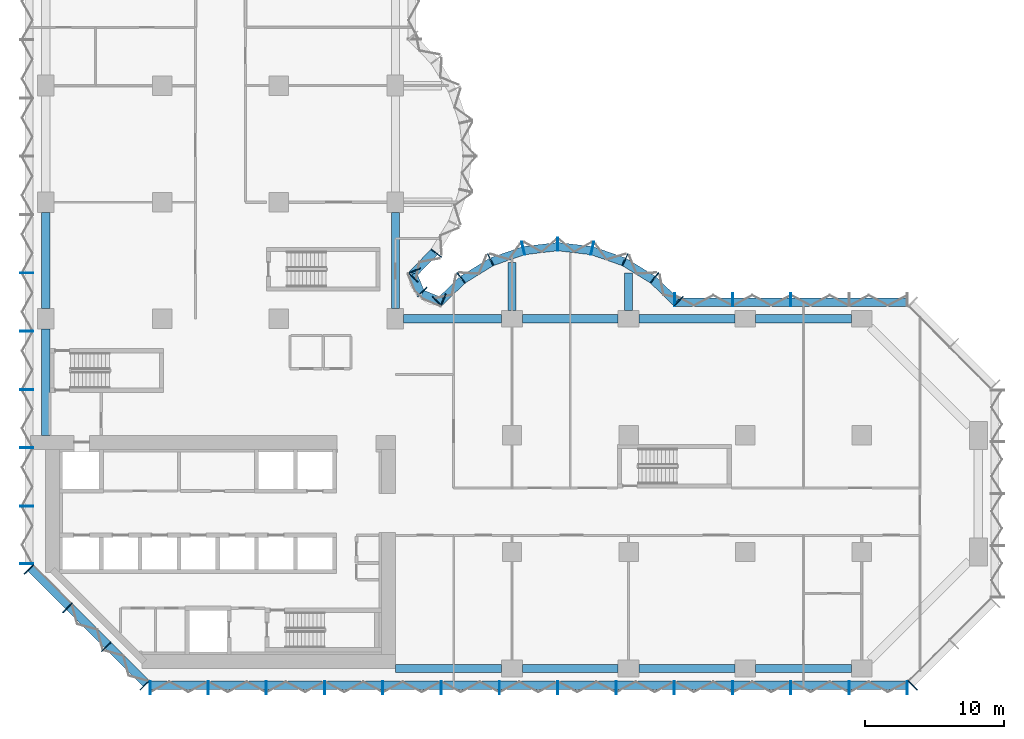
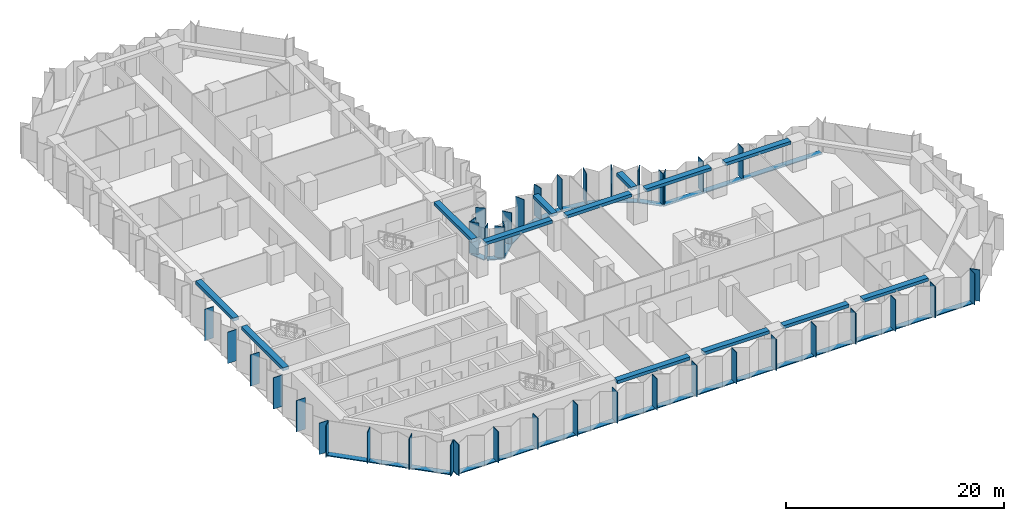
# One storey, part 2 of 15: 56 members, 13 beams, 8 elements without a shape of their own.
"""IFC4 building model written with IfcOpenShell, lengths in metres."""

from ifc_helpers import new_model, si_unit, direction, frame, origin, origin_2d, place, context, subcontext, project, spatial, rectangle, extrude, material, material_profile, profile_set, type_object, element, aggregate, save


model = new_model("IFC4")

# Units and contexts
model_context = context("Model", 3, precision=1e-05, world=origin(), true_north=direction((0.0, 1.0)))
body_context = subcontext(model_context, "Body", "Model", "MODEL_VIEW")
ifc_project = project(units=[si_unit("LENGTHUNIT", "METRE"), si_unit("AREAUNIT", "SQUARE_METRE"), si_unit("VOLUMEUNIT", "CUBIC_METRE"), si_unit("PLANEANGLEUNIT", "RADIAN"), si_unit("MASSUNIT", "GRAM", prefix="KILO")], contexts=[model_context])

# Site, building, storey
site_placement = place(None, origin())
site = spatial("IfcSite", under=ifc_project, at=site_placement, CompositionType="ELEMENT")
building_placement = place(site_placement, origin())
building = spatial("IfcBuilding", under=site, at=building_placement, Name="Brevane Broadcast Tower", CompositionType="ELEMENT")
storey_placement = place(building_placement, frame((0.0, 0.0, 58.10009765625)))
storey = spatial("IfcBuildingStorey", under=building, at=storey_placement, Name="L12", CompositionType="ELEMENT", Elevation=58.10009765625)

# Curtain wall, members
ifc_material_1 = material(Name="Aluminium 6063-T6 bronze anodised", Category="aluminium")
curtain_wall_type = type_object("IfcCurtainWallType", Name="CW-1 curtain wall", PredefinedType="NOTDEFINED", material=ifc_material_1)
curtain_wall_1_placement = place(storey_placement, origin())
curtain_wall_1 = element("IfcCurtainWall", 1, at=curtain_wall_1_placement, inside=storey, type_object=curtain_wall_type, Name="CW-1 typical tilted unit L12 south face", PredefinedType="NOTDEFINED")
ifc_material_profile_1 = material_profile(ifc_material_1, rectangle(XDim=0.949951171875, YDim=0.070068359375, at=origin_2d()), Name="RECT 70x950")
ifc_profile_set_1 = profile_set([ifc_material_profile_1], Name="Aluminium 6063-T6 bronze anodised")
member_type_1 = type_object("IfcMemberType", Name="CW-1 mullion 70x950", PredefinedType="MULLION", material=ifc_profile_set_1)
member_1_placement = place(storey_placement, frame((7.534912109375, -1.375, -0.150146484375), z_axis=(0.0, 0.0, 1.0), x_axis=(0.0, 1.0, 0.0)))
member_1 = element("IfcMember", 2, at=member_1_placement, type_object=member_type_1, Name="CW-1 mullion", PredefinedType="MULLION", context=body_context, shape_type="SweptSolid", body=[
    extrude(rectangle(XDim=0.949951171875, YDim=0.070068359375, at=origin_2d()), origin(), (0.0, 0.0, 1.0), 3.5),
])
member_2_placement = place(storey_placement, frame((11.699951171875, -1.375, -0.150146484375), z_axis=(0.0, 0.0, 1.0), x_axis=(0.0, 1.0, 0.0)))
member_2 = element("IfcMember", 3, at=member_2_placement, type_object=member_type_1, Name="CW-1 mullion", PredefinedType="MULLION", context=body_context, shape_type="SweptSolid", body=[
    extrude(rectangle(XDim=0.949951171875, YDim=0.070068359375, at=origin_2d()), origin(), (0.0, 0.0, 1.0), 3.5),
])
member_3_placement = place(storey_placement, frame((15.89990234375, -1.375, -0.150146484375), z_axis=(0.0, 0.0, 1.0), x_axis=(0.0, 1.0, 0.0)))
member_3 = element("IfcMember", 4, at=member_3_placement, type_object=member_type_1, Name="CW-1 mullion", PredefinedType="MULLION", context=body_context, shape_type="SweptSolid", body=[
    extrude(rectangle(XDim=0.949951171875, YDim=0.070068359375, at=origin_2d()), origin(), (0.0, 0.0, 1.0), 3.5),
])
member_4_placement = place(storey_placement, frame((20.10009765625, -1.375, -0.150146484375), z_axis=(0.0, 0.0, 1.0), x_axis=(0.0, 1.0, 0.0)))
member_4 = element("IfcMember", 5, at=member_4_placement, type_object=member_type_1, Name="CW-1 mullion", PredefinedType="MULLION", context=body_context, shape_type="SweptSolid", body=[
    extrude(rectangle(XDim=0.949951171875, YDim=0.070068359375, at=origin_2d()), origin(), (0.0, 0.0, 1.0), 3.5),
])
member_5_placement = place(storey_placement, frame((24.300048828125, -1.375, -0.150146484375), z_axis=(0.0, 0.0, 1.0), x_axis=(0.0, 1.0, 0.0)))
member_5 = element("IfcMember", 6, at=member_5_placement, type_object=member_type_1, Name="CW-1 mullion", PredefinedType="MULLION", context=body_context, shape_type="SweptSolid", body=[
    extrude(rectangle(XDim=0.949951171875, YDim=0.070068359375, at=origin_2d()), origin(), (0.0, 0.0, 1.0), 3.5),
])
member_6_placement = place(storey_placement, frame((28.5, -1.375, -0.150146484375), z_axis=(0.0, 0.0, 1.0), x_axis=(0.0, 1.0, 0.0)))
member_6 = element("IfcMember", 7, at=member_6_placement, type_object=member_type_1, Name="CW-1 mullion", PredefinedType="MULLION", context=body_context, shape_type="SweptSolid", body=[
    extrude(rectangle(XDim=0.949951171875, YDim=0.070068359375, at=origin_2d()), origin(), (0.0, 0.0, 1.0), 3.5),
])
member_7_placement = place(storey_placement, frame((32.699951171875, -1.375, -0.150146484375), z_axis=(0.0, 0.0, 1.0), x_axis=(0.0, 1.0, 0.0)))
member_7 = element("IfcMember", 8, at=member_7_placement, type_object=member_type_1, Name="CW-1 mullion", PredefinedType="MULLION", context=body_context, shape_type="SweptSolid", body=[
    extrude(rectangle(XDim=0.949951171875, YDim=0.070068359375, at=origin_2d()), origin(), (0.0, 0.0, 1.0), 3.5),
])
member_8_placement = place(storey_placement, frame((36.89990234375, -1.375, -0.150146484375), z_axis=(0.0, 0.0, 1.0), x_axis=(0.0, 1.0, 0.0)))
member_8 = element("IfcMember", 9, at=member_8_placement, type_object=member_type_1, Name="CW-1 mullion", PredefinedType="MULLION", context=body_context, shape_type="SweptSolid", body=[
    extrude(rectangle(XDim=0.949951171875, YDim=0.070068359375, at=origin_2d()), origin(), (0.0, 0.0, 1.0), 3.5),
])
member_9_placement = place(storey_placement, frame((41.10009765625, -1.375, -0.150146484375), z_axis=(0.0, 0.0, 1.0), x_axis=(0.0, 1.0, 0.0)))
member_9 = element("IfcMember", 10, at=member_9_placement, type_object=member_type_1, Name="CW-1 mullion", PredefinedType="MULLION", context=body_context, shape_type="SweptSolid", body=[
    extrude(rectangle(XDim=0.949951171875, YDim=0.070068359375, at=origin_2d()), origin(), (0.0, 0.0, 1.0), 3.5),
])
member_10_placement = place(storey_placement, frame((45.300048828125, -1.375, -0.150146484375), z_axis=(0.0, 0.0, 1.0), x_axis=(0.0, 1.0, 0.0)))
member_10 = element("IfcMember", 11, at=member_10_placement, type_object=member_type_1, Name="CW-1 mullion", PredefinedType="MULLION", context=body_context, shape_type="SweptSolid", body=[
    extrude(rectangle(XDim=0.949951171875, YDim=0.070068359375, at=origin_2d()), origin(), (0.0, 0.0, 1.0), 3.5),
])
member_11_placement = place(storey_placement, frame((49.5, -1.375, -0.150146484375), z_axis=(0.0, 0.0, 1.0), x_axis=(0.0, 1.0, 0.0)))
member_11 = element("IfcMember", 12, at=member_11_placement, type_object=member_type_1, Name="CW-1 mullion", PredefinedType="MULLION", context=body_context, shape_type="SweptSolid", body=[
    extrude(rectangle(XDim=0.949951171875, YDim=0.070068359375, at=origin_2d()), origin(), (0.0, 0.0, 1.0), 3.5),
])
member_12_placement = place(storey_placement, frame((53.699951171875, -1.375, -0.150146484375), z_axis=(0.0, 0.0, 1.0), x_axis=(0.0, 1.0, 0.0)))
member_12 = element("IfcMember", 13, at=member_12_placement, type_object=member_type_1, Name="CW-1 mullion", PredefinedType="MULLION", context=body_context, shape_type="SweptSolid", body=[
    extrude(rectangle(XDim=0.949951171875, YDim=0.070068359375, at=origin_2d()), origin(), (0.0, 0.0, 1.0), 3.5),
])
member_13_placement = place(storey_placement, frame((57.89990234375, -1.375, -0.150146484375), z_axis=(0.0, 0.0, 1.0), x_axis=(0.0, 1.0, 0.0)))
member_13 = element("IfcMember", 14, at=member_13_placement, type_object=member_type_1, Name="CW-1 mullion", PredefinedType="MULLION", context=body_context, shape_type="SweptSolid", body=[
    extrude(rectangle(XDim=0.949951171875, YDim=0.070068359375, at=origin_2d()), origin(), (0.0, 0.0, 1.0), 3.5),
])
member_14_placement = place(storey_placement, frame((62.06494140625, -1.375, -0.150146484375), z_axis=(0.0, 0.0, 1.0), x_axis=(0.0, 1.0, 0.0)))
member_14 = element("IfcMember", 15, at=member_14_placement, type_object=member_type_1, Name="CW-1 mullion", PredefinedType="MULLION", context=body_context, shape_type="SweptSolid", body=[
    extrude(rectangle(XDim=0.949951171875, YDim=0.070068359375, at=origin_2d()), origin(), (0.0, 0.0, 1.0), 3.5),
])

# Curtain wall, member
curtain_wall_2_placement = place(storey_placement, origin())
curtain_wall_2 = element("IfcCurtainWall", 16, at=curtain_wall_2_placement, inside=storey, type_object=curtain_wall_type, Name="CW-1 typical tilted unit L12 south-east chamfer", PredefinedType="NOTDEFINED")
member_15_placement = place(storey_placement, frame((62.460693359375, -1.211181640625, -0.150146484375), z_axis=(0.0, 0.0, 1.0), x_axis=(-0.707106781187, 0.707106781187, 0.0)))
member_15 = element("IfcMember", 17, at=member_15_placement, type_object=member_type_1, Name="CW-1 mullion", PredefinedType="MULLION", context=body_context, shape_type="SweptSolid", body=[
    extrude(rectangle(XDim=0.949951171875, YDim=0.070068359375, at=origin_2d()), origin(), (0.0, 0.0, 1.0), 3.5),
])
aggregate(curtain_wall_2, [member_15])

# Curtain wall, members
curtain_wall_3_placement = place(storey_placement, origin())
curtain_wall_3 = element("IfcCurtainWall", 18, at=curtain_wall_3_placement, inside=storey, type_object=curtain_wall_type, Name="CW-1 typical tilted unit L12 east arm north face", PredefinedType="NOTDEFINED")
member_16_placement = place(storey_placement, frame((53.699951171875, 26.574951171875, -0.150146484375), z_axis=(0.0, 0.0, 1.0), x_axis=(0.0, -1.0, 0.0)))
member_16 = element("IfcMember", 19, at=member_16_placement, type_object=member_type_1, Name="CW-1 mullion", PredefinedType="MULLION", context=body_context, shape_type="SweptSolid", body=[
    extrude(rectangle(XDim=0.949951171875, YDim=0.070068359375, at=origin_2d()), origin(), (0.0, 0.0, 1.0), 3.5),
])
member_17_placement = place(storey_placement, frame((49.5, 26.574951171875, -0.150146484375), z_axis=(0.0, 0.0, 1.0), x_axis=(0.0, -1.0, 0.0)))
member_17 = element("IfcMember", 20, at=member_17_placement, type_object=member_type_1, Name="CW-1 mullion", PredefinedType="MULLION", context=body_context, shape_type="SweptSolid", body=[
    extrude(rectangle(XDim=0.949951171875, YDim=0.070068359375, at=origin_2d()), origin(), (0.0, 0.0, 1.0), 3.5),
])
member_18_placement = place(storey_placement, frame((45.3349609375, 26.574951171875, -0.150146484375), z_axis=(0.0, 0.0, 1.0), x_axis=(0.0, -1.0, 0.0)))
member_18 = element("IfcMember", 21, at=member_18_placement, type_object=member_type_1, Name="CW-1 mullion", PredefinedType="MULLION", context=body_context, shape_type="SweptSolid", body=[
    extrude(rectangle(XDim=0.949951171875, YDim=0.070068359375, at=origin_2d()), origin(), (0.0, 0.0, 1.0), 3.5),
])

curtain_wall_4_placement = place(storey_placement, origin())
curtain_wall_4 = element("IfcCurtainWall", 22, at=curtain_wall_4_placement, inside=storey, type_object=curtain_wall_type, Name="CW-1 typical tilted unit L12 east bow", PredefinedType="NOTDEFINED")
member_19_placement = place(storey_placement, frame((45.60595703125, 26.465087890625, -0.150146484375), z_axis=(0.0, 0.0, 1.0), x_axis=(-0.696811941702, -0.717253872699, 0.0)))
member_19 = element("IfcMember", 23, at=member_19_placement, type_object=member_type_1, Name="CW-1 mullion", PredefinedType="MULLION", context=body_context, shape_type="SweptSolid", body=[
    extrude(rectangle(XDim=0.949951171875, YDim=0.070068359375, at=origin_2d()), origin(), (0.0, 0.0, 1.0), 3.5),
])
member_20_placement = place(storey_placement, frame((43.8720703125, 28.1455078125, -0.150146484375), z_axis=(0.0, 0.0, 1.0), x_axis=(-0.614769738617, -0.788706642853, 0.0)))
member_20 = element("IfcMember", 24, at=member_20_placement, type_object=member_type_1, Name="CW-1 mullion", PredefinedType="MULLION", context=body_context, shape_type="SweptSolid", body=[
    extrude(rectangle(XDim=0.949951171875, YDim=0.070068359375, at=origin_2d()), origin(), (0.0, 0.0, 1.0), 3.5),
])
member_21_placement = place(storey_placement, frame((41.746826171875, 29.4580078125, -0.150146484375), z_axis=(0.0, 0.0, 1.0), x_axis=(-0.429933601163, -0.902860508933, 0.0)))
member_21 = element("IfcMember", 25, at=member_21_placement, type_object=member_type_1, Name="CW-1 mullion", PredefinedType="MULLION", context=body_context, shape_type="SweptSolid", body=[
    extrude(rectangle(XDim=0.949951171875, YDim=0.070068359375, at=origin_2d()), origin(), (0.0, 0.0, 1.0), 3.5),
])
member_22_placement = place(storey_placement, frame((39.38818359375, 30.28076171875, -0.150146484375), z_axis=(0.0, 0.0, 1.0), x_axis=(-0.224806482215, -0.974403430594, 0.0)))
member_22 = element("IfcMember", 26, at=member_22_placement, type_object=member_type_1, Name="CW-1 mullion", PredefinedType="MULLION", context=body_context, shape_type="SweptSolid", body=[
    extrude(rectangle(XDim=0.949951171875, YDim=0.070068359375, at=origin_2d()), origin(), (0.0, 0.0, 1.0), 3.5),
])
member_23_placement = place(storey_placement, frame((36.89990234375, 30.574951171875, -0.150146484375), z_axis=(0.0, 0.0, 1.0), x_axis=(0.0, -1.0, 0.0)))
member_23 = element("IfcMember", 27, at=member_23_placement, type_object=member_type_1, Name="CW-1 mullion", PredefinedType="MULLION", context=body_context, shape_type="SweptSolid", body=[
    extrude(rectangle(XDim=0.949951171875, YDim=0.070068359375, at=origin_2d()), origin(), (0.0, 0.0, 1.0), 3.5),
])
member_24_placement = place(storey_placement, frame((34.411865234375, 30.28076171875, -0.150146484375), z_axis=(0.0, 0.0, 1.0), x_axis=(0.224806482215, -0.974403430594, 0.0)))
member_24 = element("IfcMember", 28, at=member_24_placement, type_object=member_type_1, Name="CW-1 mullion", PredefinedType="MULLION", context=body_context, shape_type="SweptSolid", body=[
    extrude(rectangle(XDim=0.949951171875, YDim=0.070068359375, at=origin_2d()), origin(), (0.0, 0.0, 1.0), 3.5),
])
member_25_placement = place(storey_placement, frame((32.05322265625, 29.4580078125, -0.150146484375), z_axis=(0.0, 0.0, 1.0), x_axis=(0.429933601163, -0.902860508933, 0.0)))
member_25 = element("IfcMember", 29, at=member_25_placement, type_object=member_type_1, Name="CW-1 mullion", PredefinedType="MULLION", context=body_context, shape_type="SweptSolid", body=[
    extrude(rectangle(XDim=0.949951171875, YDim=0.070068359375, at=origin_2d()), origin(), (0.0, 0.0, 1.0), 3.5),
])
member_26_placement = place(storey_placement, frame((29.927978515625, 28.1455078125, -0.150146484375), z_axis=(0.0, 0.0, 1.0), x_axis=(0.614769738617, -0.788706642853, 0.0)))
member_26 = element("IfcMember", 30, at=member_26_placement, type_object=member_type_1, Name="CW-1 mullion", PredefinedType="MULLION", context=body_context, shape_type="SweptSolid", body=[
    extrude(rectangle(XDim=0.949951171875, YDim=0.070068359375, at=origin_2d()), origin(), (0.0, 0.0, 1.0), 3.5),
])
member_27_placement = place(storey_placement, frame((28.194091796875, 26.465087890625, -0.150146484375), z_axis=(0.0, 0.0, 1.0), x_axis=(0.696811941702, -0.717253872699, 0.0)))
member_27 = element("IfcMember", 31, at=member_27_placement, type_object=member_type_1, Name="CW-1 mullion", PredefinedType="MULLION", context=body_context, shape_type="SweptSolid", body=[
    extrude(rectangle(XDim=0.949951171875, YDim=0.070068359375, at=origin_2d()), origin(), (0.0, 0.0, 1.0), 3.5),
])

curtain_wall_5_placement = place(storey_placement, origin())
curtain_wall_5 = element("IfcCurtainWall", 32, at=curtain_wall_5_placement, inside=storey, type_object=curtain_wall_type, Name="CW-1 typical tilted unit L12 inner corner", PredefinedType="NOTDEFINED")
member_28_placement = place(storey_placement, frame((28.6494140625, 26.55224609375, -0.150146484375), z_axis=(0.0, 0.0, 1.0), x_axis=(-0.382683612978, -0.923879457699, 0.0)))
member_28 = element("IfcMember", 33, at=member_28_placement, type_object=member_type_1, Name="CW-1 mullion", PredefinedType="MULLION", context=body_context, shape_type="SweptSolid", body=[
    extrude(rectangle(XDim=0.949951171875, YDim=0.070068359375, at=origin_2d()), origin(), (0.0, 0.0, 1.0), 3.5),
])
member_29_placement = place(storey_placement, frame((27.138916015625, 27.138916015625, -0.150146484375), z_axis=(0.0, 0.0, 1.0), x_axis=(-0.707106781187, -0.707106781187, 0.0)))
member_29 = element("IfcMember", 34, at=member_29_placement, type_object=member_type_1, Name="CW-1 mullion", PredefinedType="MULLION", context=body_context, shape_type="SweptSolid", body=[
    extrude(rectangle(XDim=0.949951171875, YDim=0.070068359375, at=origin_2d()), origin(), (0.0, 0.0, 1.0), 3.5),
])
member_30_placement = place(storey_placement, frame((26.55224609375, 28.6494140625, -0.150146484375), z_axis=(0.0, 0.0, 1.0), x_axis=(-0.923879457699, -0.382683612978, 0.0)))
member_30 = element("IfcMember", 35, at=member_30_placement, type_object=member_type_1, Name="CW-1 mullion", PredefinedType="MULLION", context=body_context, shape_type="SweptSolid", body=[
    extrude(rectangle(XDim=0.949951171875, YDim=0.070068359375, at=origin_2d()), origin(), (0.0, 0.0, 1.0), 3.5),
])

curtain_wall_6_placement = place(storey_placement, origin())
curtain_wall_6 = element("IfcCurtainWall", 36, at=curtain_wall_6_placement, inside=storey, type_object=curtain_wall_type, Name="CW-1 typical tilted unit L12 north bow", PredefinedType="NOTDEFINED")
member_31_placement = place(storey_placement, frame((26.465087890625, 28.194091796875, -0.150146484375), z_axis=(0.0, 0.0, 1.0), x_axis=(-0.717253872699, 0.696811941702, 0.0)))
member_31 = element("IfcMember", 37, at=member_31_placement, type_object=member_type_1, Name="CW-1 mullion", PredefinedType="MULLION", context=body_context, shape_type="SweptSolid", body=[
    extrude(rectangle(XDim=0.949951171875, YDim=0.070068359375, at=origin_2d()), origin(), (0.0, 0.0, 1.0), 3.5),
])
member_32_placement = place(storey_placement, frame((28.1455078125, 29.927978515625, -0.150146484375), z_axis=(0.0, 0.0, 1.0), x_axis=(-0.788706642853, 0.614769738617, 0.0)))
member_32 = element("IfcMember", 38, at=member_32_placement, type_object=member_type_1, Name="CW-1 mullion", PredefinedType="MULLION", context=body_context, shape_type="SweptSolid", body=[
    extrude(rectangle(XDim=0.949951171875, YDim=0.070068359375, at=origin_2d()), origin(), (0.0, 0.0, 1.0), 3.5),
])

curtain_wall_7_placement = place(storey_placement, origin())
curtain_wall_7 = element("IfcCurtainWall", 39, at=curtain_wall_7_placement, inside=storey, type_object=curtain_wall_type, Name="CW-1 typical tilted unit L12 west face", PredefinedType="NOTDEFINED")
member_33_placement = place(storey_placement, frame((-1.375, 28.5, -0.150146484375), z_axis=(0.0, 0.0, 1.0), x_axis=(1.0, 0.0, 0.0)))
member_33 = element("IfcMember", 40, at=member_33_placement, type_object=member_type_1, Name="CW-1 mullion", PredefinedType="MULLION", context=body_context, shape_type="SweptSolid", body=[
    extrude(rectangle(XDim=0.949951171875, YDim=0.070068359375, at=origin_2d()), origin(), (0.0, 0.0, 1.0), 3.5),
])
member_34_placement = place(storey_placement, frame((-1.375, 24.300048828125, -0.150146484375), z_axis=(0.0, 0.0, 1.0), x_axis=(1.0, 0.0, 0.0)))
member_34 = element("IfcMember", 41, at=member_34_placement, type_object=member_type_1, Name="CW-1 mullion", PredefinedType="MULLION", context=body_context, shape_type="SweptSolid", body=[
    extrude(rectangle(XDim=0.949951171875, YDim=0.070068359375, at=origin_2d()), origin(), (0.0, 0.0, 1.0), 3.5),
])
member_35_placement = place(storey_placement, frame((-1.375, 20.10009765625, -0.150146484375), z_axis=(0.0, 0.0, 1.0), x_axis=(1.0, 0.0, 0.0)))
member_35 = element("IfcMember", 42, at=member_35_placement, type_object=member_type_1, Name="CW-1 mullion", PredefinedType="MULLION", context=body_context, shape_type="SweptSolid", body=[
    extrude(rectangle(XDim=0.949951171875, YDim=0.070068359375, at=origin_2d()), origin(), (0.0, 0.0, 1.0), 3.5),
])
member_36_placement = place(storey_placement, frame((-1.375, 15.89990234375, -0.150146484375), z_axis=(0.0, 0.0, 1.0), x_axis=(1.0, 0.0, 0.0)))
member_36 = element("IfcMember", 43, at=member_36_placement, type_object=member_type_1, Name="CW-1 mullion", PredefinedType="MULLION", context=body_context, shape_type="SweptSolid", body=[
    extrude(rectangle(XDim=0.949951171875, YDim=0.070068359375, at=origin_2d()), origin(), (0.0, 0.0, 1.0), 3.5),
])
member_37_placement = place(storey_placement, frame((-1.375, 11.699951171875, -0.150146484375), z_axis=(0.0, 0.0, 1.0), x_axis=(1.0, 0.0, 0.0)))
member_37 = element("IfcMember", 44, at=member_37_placement, type_object=member_type_1, Name="CW-1 mullion", PredefinedType="MULLION", context=body_context, shape_type="SweptSolid", body=[
    extrude(rectangle(XDim=0.949951171875, YDim=0.070068359375, at=origin_2d()), origin(), (0.0, 0.0, 1.0), 3.5),
])
member_38_placement = place(storey_placement, frame((-1.375, 7.534912109375, -0.150146484375), z_axis=(0.0, 0.0, 1.0), x_axis=(1.0, 0.0, 0.0)))
member_38 = element("IfcMember", 45, at=member_38_placement, type_object=member_type_1, Name="CW-1 mullion", PredefinedType="MULLION", context=body_context, shape_type="SweptSolid", body=[
    extrude(rectangle(XDim=0.949951171875, YDim=0.070068359375, at=origin_2d()), origin(), (0.0, 0.0, 1.0), 3.5),
])
aggregate(curtain_wall_7, [member_33, member_34, member_35, member_36, member_37, member_38])

curtain_wall_8_placement = place(storey_placement, origin())
curtain_wall_8 = element("IfcCurtainWall", 46, at=curtain_wall_8_placement, inside=storey, type_object=curtain_wall_type, Name="CW-1 typical tilted unit L12 south-west chamfer", PredefinedType="NOTDEFINED")
member_39_placement = place(storey_placement, frame((-1.211181640625, 7.139404296875, -0.150146484375), z_axis=(0.0, 0.0, 1.0), x_axis=(0.707106781187, 0.707106781187, 0.0)))
member_39 = element("IfcMember", 47, at=member_39_placement, type_object=member_type_1, Name="CW-1 mullion", PredefinedType="MULLION", context=body_context, shape_type="SweptSolid", body=[
    extrude(rectangle(XDim=0.949951171875, YDim=0.070068359375, at=origin_2d()), origin(), (0.0, 0.0, 1.0), 3.5),
])
member_40_placement = place(storey_placement, frame((1.564208984375, 4.364013671875, -0.150146484375), z_axis=(0.0, 0.0, 1.0), x_axis=(0.707106781187, 0.707106781187, 0.0)))
member_40 = element("IfcMember", 48, at=member_40_placement, type_object=member_type_1, Name="CW-1 mullion", PredefinedType="MULLION", context=body_context, shape_type="SweptSolid", body=[
    extrude(rectangle(XDim=0.949951171875, YDim=0.070068359375, at=origin_2d()), origin(), (0.0, 0.0, 1.0), 3.5),
])
member_41_placement = place(storey_placement, frame((4.364013671875, 1.564208984375, -0.150146484375), z_axis=(0.0, 0.0, 1.0), x_axis=(0.707106781187, 0.707106781187, 0.0)))
member_41 = element("IfcMember", 49, at=member_41_placement, type_object=member_type_1, Name="CW-1 mullion", PredefinedType="MULLION", context=body_context, shape_type="SweptSolid", body=[
    extrude(rectangle(XDim=0.949951171875, YDim=0.070068359375, at=origin_2d()), origin(), (0.0, 0.0, 1.0), 3.5),
])
member_42_placement = place(storey_placement, frame((7.139404296875, -1.211181640625, -0.150146484375), z_axis=(0.0, 0.0, 1.0), x_axis=(0.707106781187, 0.707106781187, 0.0)))
member_42 = element("IfcMember", 50, at=member_42_placement, type_object=member_type_1, Name="CW-1 mullion", PredefinedType="MULLION", context=body_context, shape_type="SweptSolid", body=[
    extrude(rectangle(XDim=0.949951171875, YDim=0.070068359375, at=origin_2d()), origin(), (0.0, 0.0, 1.0), 3.5),
])

# Member
ifc_material_profile_2 = material_profile(ifc_material_1, rectangle(XDim=0.60009765625, YDim=0.10009765625, at=origin_2d()), Name="RECT 100x600")
ifc_profile_set_2 = profile_set([ifc_material_profile_2], Name="Aluminium 6063-T6 bronze anodised")
member_type_2 = type_object("IfcMemberType", Name="CW-1 transom 100x600", PredefinedType="USERDEFINED", material=ifc_profile_set_2)
member_43_placement = place(storey_placement, frame((7.5, -1.199951171875, -0.2001953125), z_axis=(1.0, 0.0, 0.0), x_axis=(0.0, 1.0, 0.0)))
member_43 = element("IfcMember", 51, at=member_43_placement, type_object=member_type_2, Name="CW-1 transom", ObjectType="TRANSOM", PredefinedType="USERDEFINED", context=body_context, shape_type="SweptSolid", body=[
    extrude(rectangle(XDim=0.60009765625, YDim=0.10009765625, at=origin_2d()), origin(), (0.0, 0.0, 1.0), 54.60009765625),
])

aggregate(curtain_wall_1, [member_1, member_2, member_3, member_4, member_5, member_6, member_7, member_8, member_9, member_10, member_11, member_12, member_13, member_14, member_43])

member_44_placement = place(storey_placement, frame((62.10009765625, 26.39990234375, -0.2001953125), z_axis=(-1.0, 0.0, 0.0), x_axis=(0.0, -1.0, 0.0)))
member_44 = element("IfcMember", 52, at=member_44_placement, type_object=member_type_2, Name="CW-1 transom", ObjectType="TRANSOM", PredefinedType="USERDEFINED", context=body_context, shape_type="SweptSolid", body=[
    extrude(rectangle(XDim=0.60009765625, YDim=0.10009765625, at=origin_2d()), origin(), (0.0, 0.0, 1.0), 16.800048828125),
])

aggregate(curtain_wall_3, [member_16, member_17, member_18, member_44])

member_45_placement = place(storey_placement, frame((45.412841796875, 26.407958984375, -0.2001953125), z_axis=(-0.71724215871, 0.696823999134, 0.0), x_axis=(-0.696823999134, -0.71724215871, 0.0)))
member_45 = element("IfcMember", 53, at=member_45_placement, type_object=member_type_2, Name="CW-1 transom", ObjectType="TRANSOM", PredefinedType="USERDEFINED", context=body_context, shape_type="SweptSolid", body=[
    extrude(rectangle(XDim=0.60009765625, YDim=0.10009765625, at=origin_2d()), origin(), (0.0, 0.0, 1.0), 2.247802734375),
])

member_46_placement = place(storey_placement, frame((43.7421875, 28.023193359375, -0.2001953125), z_axis=(-0.850810063131, 0.525473345162, 0.0), x_axis=(-0.525473345162, -0.850810063131, 0.0)))
member_46 = element("IfcMember", 54, at=member_46_placement, type_object=member_type_2, Name="CW-1 transom", ObjectType="TRANSOM", PredefinedType="USERDEFINED", context=body_context, shape_type="SweptSolid", body=[
    extrude(rectangle(XDim=0.60009765625, YDim=0.10009765625, at=origin_2d()), origin(), (0.0, 0.0, 1.0), 2.39453125),
])

member_47_placement = place(storey_placement, frame((41.63623046875, 29.314208984375, -0.2001953125), z_axis=(-0.944197969542, 0.329378497041, 0.0), x_axis=(-0.329378497041, -0.944197969542, 0.0)))
member_47 = element("IfcMember", 55, at=member_47_placement, type_object=member_type_2, Name="CW-1 transom", ObjectType="TRANSOM", PredefinedType="USERDEFINED", context=body_context, shape_type="SweptSolid", body=[
    extrude(rectangle(XDim=0.60009765625, YDim=0.10009765625, at=origin_2d()), origin(), (0.0, 0.0, 1.0), 2.394775390625),
])

member_48_placement = place(storey_placement, frame((39.30029296875, 30.117431640625, -0.2001953125), z_axis=(-0.993062061831, 0.117591417, 0.0), x_axis=(-0.117591417, -0.993062061831, 0.0)))
member_48 = element("IfcMember", 56, at=member_48_placement, type_object=member_type_2, Name="CW-1 transom", ObjectType="TRANSOM", PredefinedType="USERDEFINED", context=body_context, shape_type="SweptSolid", body=[
    extrude(rectangle(XDim=0.60009765625, YDim=0.10009765625, at=origin_2d()), origin(), (0.0, 0.0, 1.0), 2.39794921875),
])

member_49_placement = place(storey_placement, frame((36.880859375, 30.3994140625, -0.2001953125), z_axis=(-0.993060653805, -0.117603307202, 0.0), x_axis=(0.117603307202, -0.993060653805, 0.0)))
member_49 = element("IfcMember", 57, at=member_49_placement, type_object=member_type_2, Name="CW-1 transom", ObjectType="TRANSOM", PredefinedType="USERDEFINED", context=body_context, shape_type="SweptSolid", body=[
    extrude(rectangle(XDim=0.60009765625, YDim=0.10009765625, at=origin_2d()), origin(), (0.0, 0.0, 1.0), 2.397705078125),
])

member_50_placement = place(storey_placement, frame((34.425048828125, 30.10302734375, -0.2001953125), z_axis=(-0.944197969542, -0.329378497041, 0.0), x_axis=(0.329378497041, -0.944197969542, 0.0)))
member_50 = element("IfcMember", 58, at=member_50_placement, type_object=member_type_2, Name="CW-1 transom", ObjectType="TRANSOM", PredefinedType="USERDEFINED", context=body_context, shape_type="SweptSolid", body=[
    extrude(rectangle(XDim=0.60009765625, YDim=0.10009765625, at=origin_2d()), origin(), (0.0, 0.0, 1.0), 2.394775390625),
])

member_51_placement = place(storey_placement, frame((32.09521484375, 29.281494140625, -0.2001953125), z_axis=(-0.850838211365, -0.525427766759, 0.0), x_axis=(0.525427766759, -0.850838211365, 0.0)))
member_51 = element("IfcMember", 59, at=member_51_placement, type_object=member_type_2, Name="CW-1 transom", ObjectType="TRANSOM", PredefinedType="USERDEFINED", context=body_context, shape_type="SweptSolid", body=[
    extrude(rectangle(XDim=0.60009765625, YDim=0.10009765625, at=origin_2d()), origin(), (0.0, 0.0, 1.0), 2.394775390625),
])

member_52_placement = place(storey_placement, frame((29.99951171875, 27.974365234375, -0.2001953125), z_axis=(-0.71724215871, -0.696823999134, 0.0), x_axis=(0.696823999134, -0.71724215871, 0.0)))
member_52 = element("IfcMember", 60, at=member_52_placement, type_object=member_type_2, Name="CW-1 transom", ObjectType="TRANSOM", PredefinedType="USERDEFINED", context=body_context, shape_type="SweptSolid", body=[
    extrude(rectangle(XDim=0.60009765625, YDim=0.10009765625, at=origin_2d()), origin(), (0.0, 0.0, 1.0), 2.247802734375),
])

aggregate(curtain_wall_4, [member_19, member_20, member_21, member_22, member_23, member_24, member_25, member_26, member_27, member_45, member_46, member_47, member_48, member_49, member_50, member_51, member_52])

member_53_placement = place(storey_placement, frame((28.528076171875, 26.40673828125, -0.2001953125), z_axis=(-0.923883243627, 0.382674472816, 0.0), x_axis=(-0.382674472816, -0.923883243627, 0.0)))
member_53 = element("IfcMember", 61, at=member_53_placement, type_object=member_type_2, Name="CW-1 transom", ObjectType="TRANSOM", PredefinedType="USERDEFINED", context=body_context, shape_type="SweptSolid", body=[
    extrude(rectangle(XDim=0.60009765625, YDim=0.10009765625, at=origin_2d()), origin(), (0.0, 0.0, 1.0), 1.536865234375),
])

member_54_placement = place(storey_placement, frame((27.039794921875, 27.0, -0.2001953125), z_axis=(-0.382674472816, 0.923883243627, 0.0), x_axis=(-0.923883243627, -0.382674472816, 0.0)))
member_54 = element("IfcMember", 62, at=member_54_placement, type_object=member_type_2, Name="CW-1 transom", ObjectType="TRANSOM", PredefinedType="USERDEFINED", context=body_context, shape_type="SweptSolid", body=[
    extrude(rectangle(XDim=0.60009765625, YDim=0.10009765625, at=origin_2d()), origin(), (0.0, 0.0, 1.0), 1.536865234375),
])

aggregate(curtain_wall_5, [member_28, member_29, member_30, member_53, member_54])

member_55_placement = place(storey_placement, frame((26.407958984375, 28.38720703125, -0.2001953125), z_axis=(0.696823999134, 0.71724215871, 0.0), x_axis=(-0.71724215871, 0.696823999134, 0.0)))
member_55 = element("IfcMember", 63, at=member_55_placement, type_object=member_type_2, Name="CW-1 transom", ObjectType="TRANSOM", PredefinedType="USERDEFINED", context=body_context, shape_type="SweptSolid", body=[
    extrude(rectangle(XDim=0.60009765625, YDim=0.10009765625, at=origin_2d()), origin(), (0.0, 0.0, 1.0), 2.247802734375),
])

aggregate(curtain_wall_6, [member_31, member_32, member_55])

member_56_placement = place(storey_placement, frame((-1.112060546875, 7.287841796875, -0.2001953125), z_axis=(0.707106781187, -0.707106781187, 0.0), x_axis=(0.707106781187, 0.707106781187, 0.0)))
member_56 = element("IfcMember", 64, at=member_56_placement, type_object=member_type_2, Name="CW-1 transom", ObjectType="TRANSOM", PredefinedType="USERDEFINED", context=body_context, shape_type="SweptSolid", body=[
    extrude(rectangle(XDim=0.60009765625, YDim=0.10009765625, at=origin_2d()), origin(), (0.0, 0.0, 1.0), 11.879150390625),
])

aggregate(curtain_wall_8, [member_39, member_40, member_41, member_42, member_56])

# Beams
ifc_material_2 = material(Name="Concrete C40/50", Category="concrete")
ifc_material_profile_3 = material_profile(ifc_material_2, rectangle(XDim=0.60009765625, YDim=0.35009765625, at=origin_2d()), Name="RC 600x350")
ifc_profile_set_3 = profile_set([ifc_material_profile_3], Name="Concrete C40/50")
beam_type_1 = type_object("IfcBeamType", Name="RC BRACKET BEAM 600x350 C40/50", PredefinedType="BEAM", material=ifc_profile_set_3)
beam_1_placement = place(storey_placement, frame((33.60009765625, 25.800048828125, 3.1748046875), z_axis=(0.0, 1.0, 0.0), x_axis=(-1.0, 0.0, 0.0)))
element("IfcBeam", 65, at=beam_1_placement, inside=storey, type_object=beam_type_1, Name="EB2 L12-3", PredefinedType="BEAM", context=body_context, shape_type="SweptSolid", body=[
    extrude(rectangle(XDim=0.60009765625, YDim=0.35009765625, at=origin_2d()), origin(), (0.0, 0.0, 1.0), 3.4619140625),
])
beam_2_placement = place(storey_placement, frame((42.0, 25.800048828125, 3.1748046875), z_axis=(0.0, 1.0, 0.0), x_axis=(-1.0, 0.0, 0.0)))
element("IfcBeam", 66, at=beam_2_placement, inside=storey, type_object=beam_type_1, Name="EB2 L12-4", PredefinedType="BEAM", context=body_context, shape_type="SweptSolid", body=[
    extrude(rectangle(XDim=0.60009765625, YDim=0.35009765625, at=origin_2d()), origin(), (0.0, 0.0, 1.0), 2.71142578125),
])
ifc_material_profile_4 = material_profile(ifc_material_2, rectangle(XDim=0.60009765625, YDim=0.35009765625, at=origin_2d()), Name="RC 600x350")
ifc_profile_set_4 = profile_set([ifc_material_profile_4], Name="Concrete C40/50")
beam_type_2 = type_object("IfcBeamType", Name="RC SPANDREL BEAM 600x350 C40/50", PredefinedType="SPANDREL", material=ifc_profile_set_4)
beam_3_placement = place(storey_placement, frame((25.199951171875, 0.0, 3.1748046875), z_axis=(1.0, 0.0, 0.0), x_axis=(0.0, 1.0, 0.0)))
element("IfcBeam", 67, at=beam_3_placement, inside=storey, type_object=beam_type_2, Name="EB1 L12-1", PredefinedType="SPANDREL", context=body_context, shape_type="SweptSolid", body=[
    extrude(rectangle(XDim=0.60009765625, YDim=0.35009765625, at=origin_2d()), origin(), (0.0, 0.0, 1.0), 7.650146484375),
])
for number, where, z_axis, x_axis, name in (
    (68, (34.35009765625, 0.0, 3.1748046875), (1.0, 0.0, 0.0), (0.0, 1.0, 0.0), "EB1 L12-2"),
    (69, (42.75, 0.0, 3.1748046875), (1.0, 0.0, 0.0), (0.0, 1.0, 0.0), "EB1 L12-3"),
):
    element("IfcBeam", number, at=place(storey_placement, frame(where, z_axis=z_axis, x_axis=x_axis)), inside=storey, type_object=beam_type_2, Name=name, PredefinedType="SPANDREL", context=body_context, shape_type="SweptSolid", body=[
        extrude(rectangle(XDim=0.60009765625, YDim=0.35009765625, at=origin_2d()), origin(), (0.0, 0.0, 1.0), 6.89990234375),
    ])
for number, where, z_axis, x_axis, name in (
    (70, (51.14990234375, 0.0, 3.1748046875), (1.0, 0.0, 0.0), (0.0, 1.0, 0.0), "EB1 L12-4"),
    (71, (58.050048828125, 25.199951171875, 3.1748046875), (-1.0, 0.0, 0.0), (0.0, -1.0, 0.0), "EB1 L12-8"),
):
    element("IfcBeam", number, at=place(storey_placement, frame(where, z_axis=z_axis, x_axis=x_axis)), inside=storey, type_object=beam_type_2, Name=name, PredefinedType="SPANDREL", context=body_context, shape_type="SweptSolid", body=[
        extrude(rectangle(XDim=0.60009765625, YDim=0.35009765625, at=origin_2d()), origin(), (0.0, 0.0, 1.0), 6.900146484375),
    ])
for number, where, z_axis, x_axis, name in (
    (72, (49.64990234375, 25.199951171875, 3.1748046875), (-1.0, 0.0, 0.0), (0.0, -1.0, 0.0), "EB1 L12-9"),
    (73, (41.25, 25.199951171875, 3.1748046875), (-1.0, 0.0, 0.0), (0.0, -1.0, 0.0), "EB1 L12-10"),
):
    element("IfcBeam", number, at=place(storey_placement, frame(where, z_axis=z_axis, x_axis=x_axis)), inside=storey, type_object=beam_type_2, Name=name, PredefinedType="SPANDREL", context=body_context, shape_type="SweptSolid", body=[
        extrude(rectangle(XDim=0.60009765625, YDim=0.35009765625, at=origin_2d()), origin(), (0.0, 0.0, 1.0), 6.89990234375),
    ])
beam_4_placement = place(storey_placement, frame((32.85009765625, 25.199951171875, 3.1748046875), z_axis=(-1.0, 0.0, 0.0), x_axis=(0.0, -1.0, 0.0)))
element("IfcBeam", 74, at=beam_4_placement, inside=storey, type_object=beam_type_2, Name="EB1 L12-11", PredefinedType="SPANDREL", context=body_context, shape_type="SweptSolid", body=[
    extrude(rectangle(XDim=0.60009765625, YDim=0.35009765625, at=origin_2d()), origin(), (0.0, 0.0, 1.0), 7.050048828125),
])
for number, where, z_axis, x_axis, name in (
    (75, (25.199951171875, 25.949951171875, 3.1748046875), (0.0, 1.0, 0.0), (-1.0, 0.0, 0.0), "EB1 L12-12"),
    (76, (0.0, 32.85009765625, 3.1748046875), (0.0, -1.0, 0.0), (1.0, 0.0, 0.0), "EB1 L12-22"),
):
    element("IfcBeam", number, at=place(storey_placement, frame(where, z_axis=z_axis, x_axis=x_axis)), inside=storey, type_object=beam_type_2, Name=name, PredefinedType="SPANDREL", context=body_context, shape_type="SweptSolid", body=[
        extrude(rectangle(XDim=0.60009765625, YDim=0.35009765625, at=origin_2d()), origin(), (0.0, 0.0, 1.0), 6.900146484375),
    ])
beam_5_placement = place(storey_placement, frame((0.0, 24.449951171875, 3.1748046875), z_axis=(0.0, -1.0, 0.0), x_axis=(1.0, 0.0, 0.0)))
element("IfcBeam", 77, at=beam_5_placement, inside=storey, type_object=beam_type_2, Name="EB1 L12-23", PredefinedType="SPANDREL", context=body_context, shape_type="SweptSolid", body=[
    extrude(rectangle(XDim=0.60009765625, YDim=0.35009765625, at=origin_2d()), origin(), (0.0, 0.0, 1.0), 7.64990234375),
])

save(model, "model.ifc")
